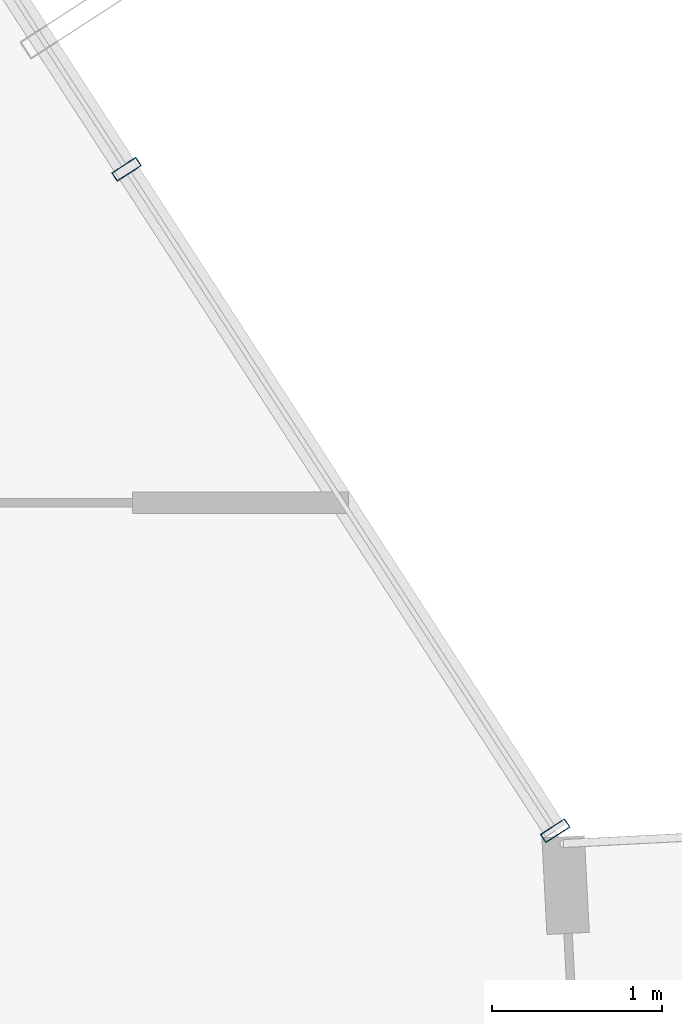
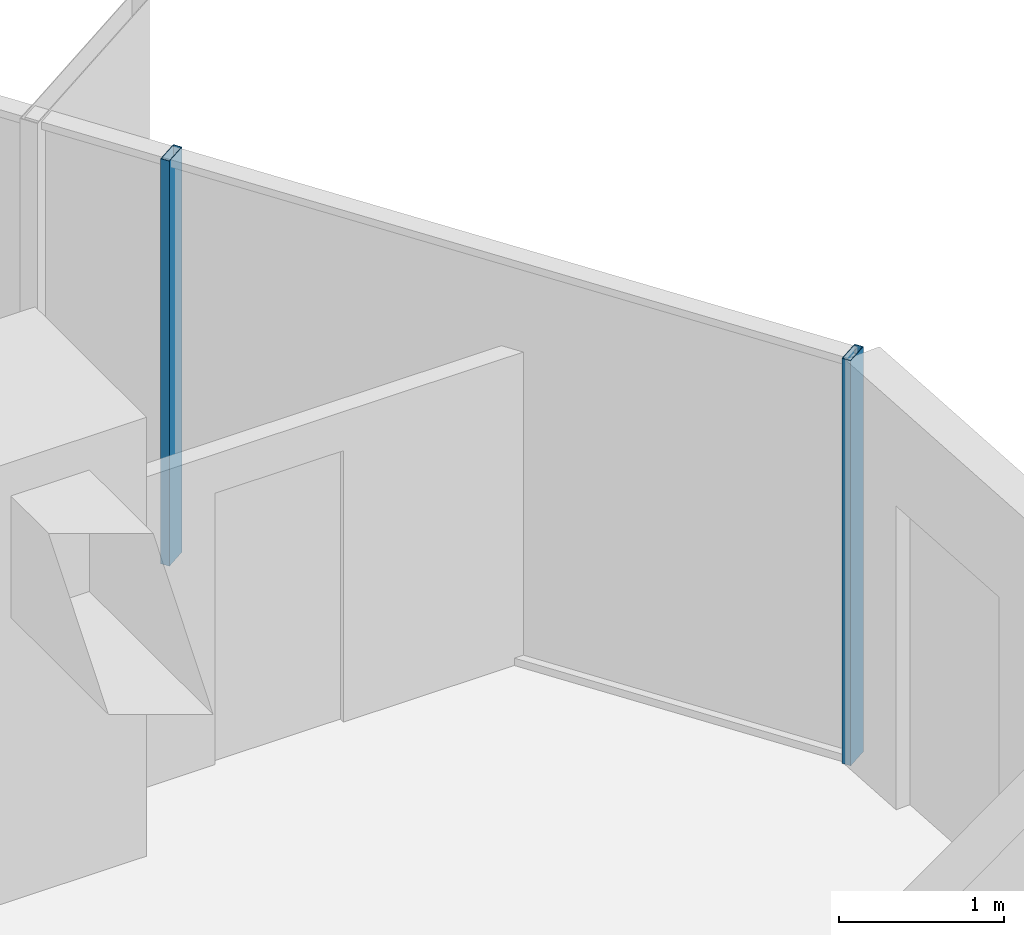
# One storey, part 20 of 37: 2 members, 1 element without a shape of its own.
"""IFC4 building model written with IfcOpenShell, lengths in metres."""

from ifc_helpers import new_model, si_unit, direction, frame, origin, origin_2d, place, context, subcontext, project, spatial, hollow_rectangle, extrude, source, transform, mapped, material, layer, layer_set, material_profile, profile_set, type_object, element, aggregate, save


model = new_model("IFC4")

# Units and contexts
model_context = context("Model", 3, precision=1e-05, world=origin(), true_north=direction((0.0, 1.0)))
body_context = subcontext(model_context, "Body", "Model", "MODEL_VIEW")
ifc_project = project(units=[si_unit("LENGTHUNIT", "METRE"), si_unit("AREAUNIT", "SQUARE_METRE"), si_unit("VOLUMEUNIT", "CUBIC_METRE"), si_unit("PLANEANGLEUNIT", "RADIAN"), si_unit("MASSUNIT", "GRAM", prefix="KILO")], contexts=[model_context])

# Site, building, storey
site_placement = place(None, origin())
site = spatial("IfcSite", under=ifc_project, at=site_placement, CompositionType="ELEMENT")
building_placement = place(site_placement, origin())
building = spatial("IfcBuilding", under=site, at=building_placement, Name="Veraguas Prism Commons", CompositionType="ELEMENT")
storey_placement = place(building_placement, frame((0.0, 0.0, 33.800048828125)))
storey = spatial("IfcBuildingStorey", under=building, at=storey_placement, Name="L08", CompositionType="ELEMENT", Elevation=33.800048828125)

# Curtain wall, members
ifc_material = material(Name="Anodised aluminium EN AW-6063 T6", Category="aluminium")
ifc_layer = layer(ifc_material, 0.169921875, Name="Unitised Flush Curtain Wall Zone 1", Category="aluminium")
ifc_layer_set = layer_set([ifc_layer], Name="Anodised aluminium EN AW-6063 T6")
curtain_wall_type = type_object("IfcCurtainWallType", Name="Unitised Flush Curtain Wall Zone 1", PredefinedType="NOTDEFINED", material=ifc_layer_set)
curtain_wall_placement = place(storey_placement, origin())
curtain_wall = element("IfcCurtainWall", 1, at=curtain_wall_placement, inside=storey, type_object=curtain_wall_type, Name="Tower Facade Curtain Wall L08-F1", PredefinedType="NOTDEFINED")
ifc_material_profile = material_profile(ifc_material, hollow_rectangle(XDim=0.06005859375, YDim=0.169921875, WallThickness=0.00390625, at=origin_2d()), Name="AL60X170X4")
ifc_profile_set = profile_set([ifc_material_profile], Name="Anodised aluminium EN AW-6063 T6")
member_type = type_object("IfcMemberType", Name="Curtain Wall Mullion Lower AL 60x170x4", PredefinedType="MULLION", material=ifc_profile_set)
shared_shape = source(origin(), body_context, "Body", "SweptSolid", [
    extrude(hollow_rectangle(XDim=0.06005859375, YDim=0.169921875, WallThickness=0.00390625, at=origin_2d()), origin(), (0.0, 0.0, 1.0), 3.0),
])
member_1_placement = place(storey_placement, frame((46.5068359375, 27.487060546875, 0.0), z_axis=(0.0, 0.0, 1.0), x_axis=(-0.543766341769, 0.839236656468, 0.0)))
member_1 = element("IfcMember", 2, at=member_1_placement, type_object=member_type, Name="CW-Z1 Mullion 1", PredefinedType="MULLION", context=body_context, shape_type="MappedRepresentation", body=[
    mapped(shared_shape, transform((0.0, 0.0, 0.0), scale=1.0)),
])
member_2_placement = place(storey_placement, frame((43.983154296875, 31.3818359375, 0.0), z_axis=(0.0, 0.0, 1.0), x_axis=(-0.543766341769, 0.839236656468, 0.0)))
member_2 = element("IfcMember", 3, at=member_2_placement, type_object=member_type, Name="CW-Z1 Mullion 2", PredefinedType="MULLION", context=body_context, shape_type="MappedRepresentation", body=[
    mapped(shared_shape, transform((0.0, 0.0, 0.0), scale=1.0)),
])
aggregate(curtain_wall, [member_1, member_2])

save(model, "model.ifc")
